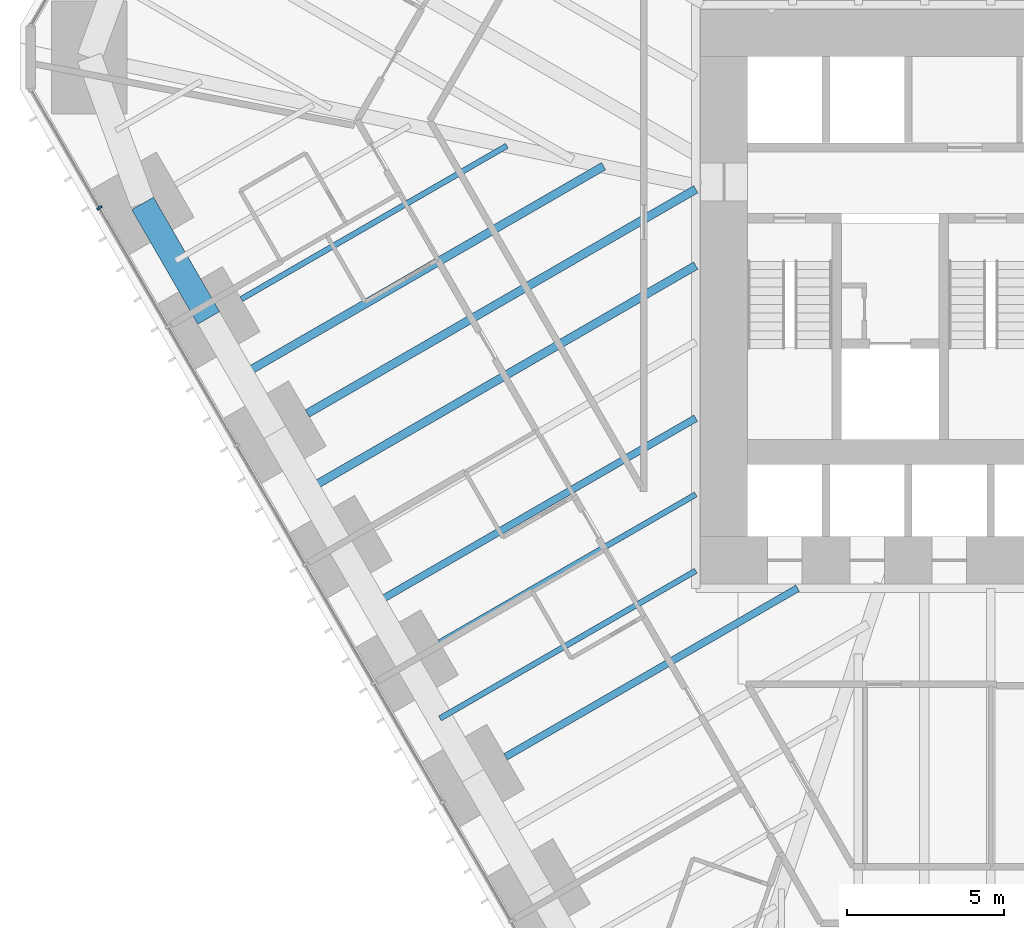
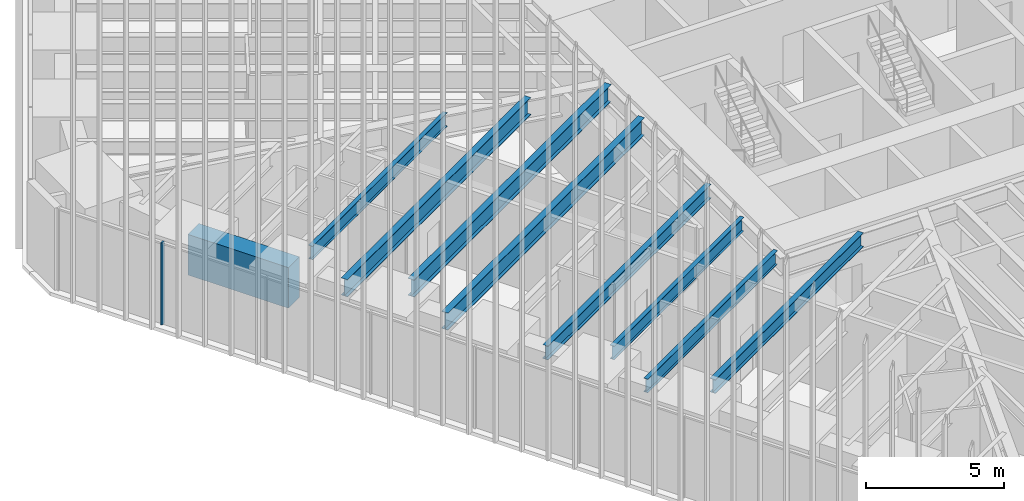
# One storey, part 66 of 256: 9 beams, 1 member, 1 element without a shape of its own.
"""IFC4 building model written with IfcOpenShell, lengths in metres."""

from ifc_helpers import new_model, si_unit, direction, frame, origin, origin_2d, place, context, subcontext, project, spatial, rectangle, i_section, extrude, material, material_profile, profile_set, type_object, element, aggregate, save


model = new_model("IFC4")

# Units and contexts
model_context = context("Model", 3, precision=1e-05, world=origin(), true_north=direction((0.0, 1.0)))
body_context = subcontext(model_context, "Body", "Model", "MODEL_VIEW")
ifc_project = project(units=[si_unit("LENGTHUNIT", "METRE"), si_unit("AREAUNIT", "SQUARE_METRE"), si_unit("VOLUMEUNIT", "CUBIC_METRE"), si_unit("PLANEANGLEUNIT", "RADIAN"), si_unit("MASSUNIT", "GRAM", prefix="KILO")], contexts=[model_context])

# Site, building, storey
site_placement = place(None, origin())
site = spatial("IfcSite", under=ifc_project, at=site_placement, CompositionType="ELEMENT")
building_placement = place(site_placement, origin())
building = spatial("IfcBuilding", under=site, at=building_placement, Name="Sandreach Pilgrim Tower", CompositionType="ELEMENT")
storey_placement = place(building_placement, frame((0.0, 0.0, 23.0)))
storey = spatial("IfcBuildingStorey", under=building, at=storey_placement, Name="L04", CompositionType="ELEMENT", Elevation=23.0)

# Curtain wall, member
ifc_material_1 = material(Name="Aluminium framed curtain wall", Category="aluminium")
curtain_wall_type = type_object("IfcCurtainWallType", Name="Hostel tower curtain wall", PredefinedType="NOTDEFINED", material=ifc_material_1)
curtain_wall_placement = place(storey_placement, origin())
curtain_wall = element("IfcCurtainWall", 1, at=curtain_wall_placement, inside=storey, type_object=curtain_wall_type, Name="CW-1 L04 SW", PredefinedType="NOTDEFINED")
ifc_material_2 = material(Name="Aluminium extrusion", Category="aluminium")
ifc_material_profile_1 = material_profile(ifc_material_2, rectangle(XDim=0.06494140625, YDim=0.179931640625, at=origin_2d()), Name="CW-1M 65X180")
ifc_profile_set_1 = profile_set([ifc_material_profile_1], Name="Aluminium extrusion")
member_type = type_object("IfcMemberType", Name="CW-1 mullion", PredefinedType="MULLION", material=ifc_profile_set_1)
member_placement = place(storey_placement, frame((-28.390380859375, 1.2763671875, 0.0), z_axis=(0.0, 0.0, 1.0), x_axis=(-0.5, 0.866025403784, 0.0)))
member = element("IfcMember", 2, at=member_placement, type_object=member_type, Name="CW-1 mullion 9", PredefinedType="MULLION", context=body_context, shape_type="SweptSolid", body=[
    extrude(rectangle(XDim=0.06494140625, YDim=0.179931640625, at=origin_2d()), origin(), (0.0, 0.0, 1.0), 3.639892578125),
])
aggregate(curtain_wall, [member])

# Beams
ifc_material_3 = material(Name="Steel ASTM A992 Grade 50", Category="steel")
ifc_material_profile_2 = material_profile(ifc_material_3, i_section(OverallWidth=0.1787109375, OverallDepth=0.60205078125, WebThickness=0.010986328125, FlangeThickness=0.014892578125, at=origin_2d()), Name="W24X62")
ifc_profile_set_2 = profile_set([ifc_material_profile_2], Name="Steel ASTM A992 Grade 50")
beam_type_1 = type_object("IfcBeamType", Name="Floor beam W24X62", PredefinedType="BEAM", material=ifc_profile_set_2)
beam_1_placement = place(storey_placement, frame((-17.557373046875, -12.5673828125, 3.339111328125), z_axis=(0.866020839647, 0.500007905235, 0.0), x_axis=(-0.500007905235, 0.866020839647, 0.0)))
element("IfcBeam", 3, at=beam_1_placement, inside=storey, type_object=beam_type_1, Name="BM L04 F30", PredefinedType="BEAM", context=body_context, shape_type="SweptSolid", body=[
    extrude(i_section(OverallWidth=0.1787109375, OverallDepth=0.60205078125, WebThickness=0.010986328125, FlangeThickness=0.014892578125, at=origin_2d()), origin(), (0.0, 0.0, 1.0), 9.427001953125),
])
beam_2_placement = place(storey_placement, frame((-23.8720703125, -1.629638671875, 3.339111328125), z_axis=(0.866025751498, 0.499999397742, 0.0), x_axis=(-0.499999397742, 0.866025751498, 0.0)))
element("IfcBeam", 4, at=beam_2_placement, inside=storey, type_object=beam_type_1, Name="BM L04 F33", PredefinedType="BEAM", context=body_context, shape_type="SweptSolid", body=[
    extrude(i_section(OverallWidth=0.1787109375, OverallDepth=0.60205078125, WebThickness=0.010986328125, FlangeThickness=0.014892578125, at=origin_2d()), origin(), (0.0, 0.0, 1.0), 9.767578125),
])
beam_3_placement = place(storey_placement, frame((-17.5439453125, -14.990234375, 3.339111328125), z_axis=(0.86602359238, 0.500003137431, 0.0), x_axis=(-0.500003137431, 0.86602359238, 0.0)))
element("IfcBeam", 5, at=beam_3_placement, inside=storey, type_object=beam_type_1, Name="BM L04 FM29", PredefinedType="BEAM", context=body_context, shape_type="SweptSolid", body=[
    extrude(i_section(OverallWidth=0.1787109375, OverallDepth=0.60205078125, WebThickness=0.010986328125, FlangeThickness=0.014892578125, at=origin_2d()), origin(), (0.0, 0.0, 1.0), 9.41162109375),
])
ifc_material_4 = material(Name="Steel ASTM A992 Grade 50", Category="steel")
ifc_material_profile_3 = material_profile(ifc_material_4, i_section(OverallWidth=0.23046875, OverallDepth=0.6171875, WebThickness=0.01318359375, FlangeThickness=0.022216796875, at=origin_2d()), Name="W24X94")
ifc_profile_set_3 = profile_set([ifc_material_profile_3], Name="Steel ASTM A992 Grade 50")
beam_type_2 = type_object("IfcBeamType", Name="Floor beam W24X94", PredefinedType="BEAM", material=ifc_profile_set_3)
beam_4_placement = place(storey_placement, frame((-15.452392578125, -16.213134765625, 3.331298828125), z_axis=(0.866028486751, 0.499994660107, 0.0), x_axis=(-0.499994660107, 0.866028486751, 0.0)))
element("IfcBeam", 6, at=beam_4_placement, inside=storey, type_object=beam_type_2, Name="BM L04 F29", PredefinedType="BEAM", context=body_context, shape_type="SweptSolid", body=[
    extrude(i_section(OverallWidth=0.23046875, OverallDepth=0.6171875, WebThickness=0.01318359375, FlangeThickness=0.022216796875, at=origin_2d()), origin(), (0.0, 0.0, 1.0), 10.73974609375),
])
beam_5_placement = place(storey_placement, frame((-19.64892578125, -11.34423828125, 3.331298828125), z_axis=(0.866032123691, 0.4999883606, 0.0), x_axis=(-0.4999883606, 0.866032123691, 0.0)))
element("IfcBeam", 7, at=beam_5_placement, inside=storey, type_object=beam_type_2, Name="BM L04 FM30", PredefinedType="BEAM", context=body_context, shape_type="SweptSolid", body=[
    extrude(i_section(OverallWidth=0.23046875, OverallDepth=0.6171875, WebThickness=0.01318359375, FlangeThickness=0.022216796875, at=origin_2d()), origin(), (0.0, 0.0, 1.0), 11.842041015625),
])
ifc_material_5 = material(Name="Steel ASTM A992 Grade 50", Category="steel")
ifc_material_profile_4 = material_profile(ifc_material_5, i_section(OverallWidth=0.2666015625, OverallDepth=0.761962890625, WebThickness=0.014404296875, FlangeThickness=0.021484375, at=origin_2d()), Name="W30X116")
ifc_profile_set_4 = profile_set([ifc_material_profile_4], Name="Steel ASTM A992 Grade 50")
beam_type_3 = type_object("IfcBeamType", Name="Floor beam W30X116", PredefinedType="BEAM", material=ifc_profile_set_4)
beam_6_placement = place(storey_placement, frame((-21.76708984375, -5.275390625, 3.259033203125), z_axis=(0.866024247282, 0.500002003116, 0.0), x_axis=(-0.500002003116, 0.866024247282, 0.0)))
element("IfcBeam", 8, at=beam_6_placement, inside=storey, type_object=beam_type_3, Name="BM L04 F32", PredefinedType="BEAM", context=body_context, shape_type="SweptSolid", body=[
    extrude(i_section(OverallWidth=0.2666015625, OverallDepth=0.761962890625, WebThickness=0.014404296875, FlangeThickness=0.021484375, at=origin_2d()), origin(), (0.0, 0.0, 1.0), 14.2880859375),
])
beam_7_placement = place(storey_placement, frame((-21.75390625, -7.698486328125, 3.259033203125), z_axis=(0.866022935671, 0.500004274874, 0.0), x_axis=(-0.500004274874, 0.866022935671, 0.0)))
element("IfcBeam", 9, at=beam_7_placement, inside=storey, type_object=beam_type_3, Name="BM L04 FM31", PredefinedType="BEAM", context=body_context, shape_type="SweptSolid", body=[
    extrude(i_section(OverallWidth=0.2666015625, OverallDepth=0.761962890625, WebThickness=0.014404296875, FlangeThickness=0.021484375, at=origin_2d()), origin(), (0.0, 0.0, 1.0), 14.27294921875),
])
beam_8_placement = place(storey_placement, frame((-23.85888671875, -4.052490234375, 3.259033203125), z_axis=(0.866029213426, 0.499993401449, 0.0), x_axis=(-0.499993401449, 0.866029213426, 0.0)))
element("IfcBeam", 10, at=beam_8_placement, inside=storey, type_object=beam_type_3, Name="BM L04 FM32", PredefinedType="BEAM", context=body_context, shape_type="SweptSolid", body=[
    extrude(i_section(OverallWidth=0.2666015625, OverallDepth=0.761962890625, WebThickness=0.014404296875, FlangeThickness=0.021484375, at=origin_2d()), origin(), (0.0, 0.0, 1.0), 13.311767578125),
])
ifc_material_6 = material(Name="Concrete 10000 psi", Category="concrete")
ifc_material_profile_5 = material_profile(ifc_material_6, rectangle(XDim=0.800048828125, YDim=1.800048828125, at=origin_2d()), Name="RC800X1800")
ifc_profile_set_5 = profile_set([ifc_material_profile_5], Name="Concrete 10000 psi")
beam_type_4 = type_object("IfcBeamType", Name="Spandrel beam RC800X1800", PredefinedType="SPANDREL", material=ifc_profile_set_5)
beam_9_placement = place(storey_placement, frame((-24.911376953125, -2.229736328125, 2.739990234375), z_axis=(-0.499993523031, 0.866029143232, 0.0), x_axis=(-0.866029143232, -0.499993523031, 0.0)))
element("IfcBeam", 11, at=beam_9_placement, inside=storey, type_object=beam_type_4, Name="BM L04 SP33", PredefinedType="SPANDREL", context=body_context, shape_type="SweptSolid", body=[
    extrude(rectangle(XDim=0.800048828125, YDim=1.800048828125, at=origin_2d()), origin(), (0.0, 0.0, 1.0), 4.2099609375),
])

save(model, "model.ifc")
